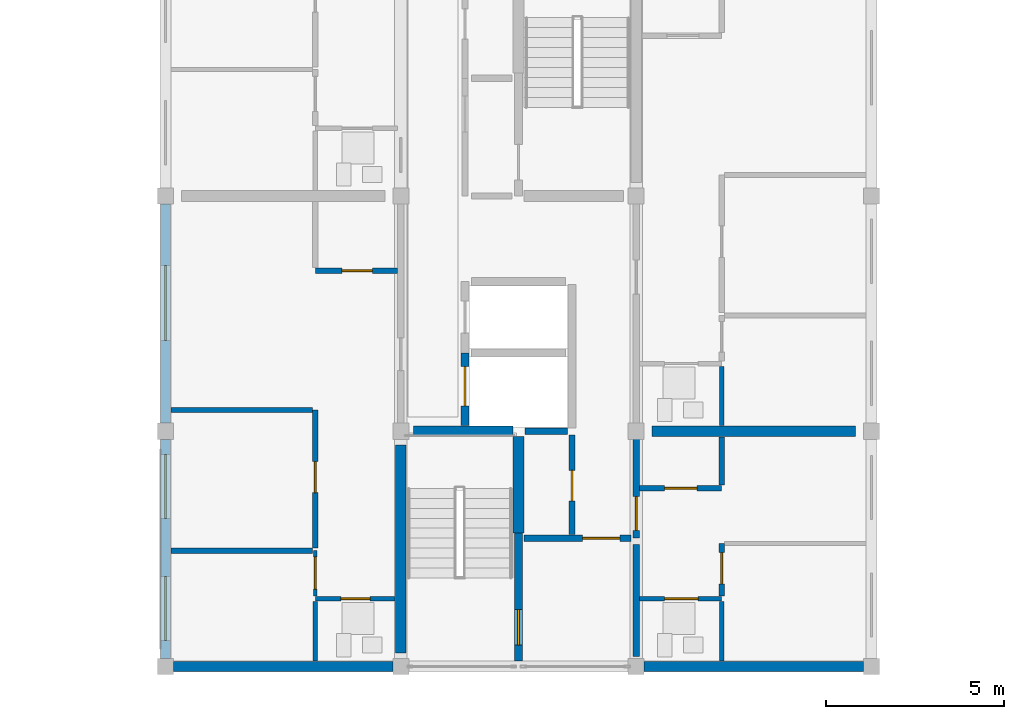
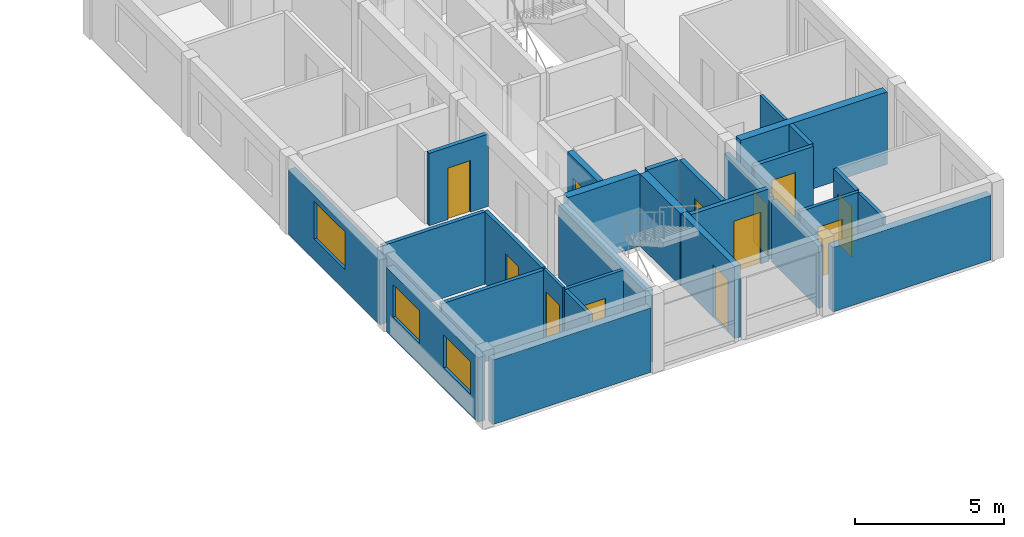
# One storey, part 28 of 46: 28 walls, 12 doors, 3 windows, 15 openings.
"""IFC4 building model written with IfcOpenShell, lengths in metres."""

from ifc_helpers import new_model, si_unit, direction, frame, frame_2d, origin, place, context, subcontext, project, spatial, rectangle, extrude, material, layer, layer_set, type_object, element, fill, save


model = new_model("IFC4")

# Units and contexts
model_context = context("Model", 3, precision=1e-05, world=origin(), true_north=direction((0.0, 1.0)))
body_context = subcontext(model_context, "Body", "Model", "MODEL_VIEW")
ifc_project = project(units=[si_unit("LENGTHUNIT", "METRE"), si_unit("AREAUNIT", "SQUARE_METRE"), si_unit("VOLUMEUNIT", "CUBIC_METRE"), si_unit("PLANEANGLEUNIT", "RADIAN"), si_unit("MASSUNIT", "GRAM", prefix="KILO")], contexts=[model_context])

# Site, building, storey
site_placement = place(None, origin())
site = spatial("IfcSite", under=ifc_project, at=site_placement, CompositionType="ELEMENT")
building_placement = place(site_placement, origin())
building = spatial("IfcBuilding", under=site, at=building_placement, Name="Kernevlak Ridge Housing Community", CompositionType="ELEMENT")
storey_placement = place(building_placement, frame((0.0, 0.0, 27.60009765625)))
storey = spatial("IfcBuildingStorey", under=building, at=storey_placement, Name="L08", CompositionType="ELEMENT", Elevation=27.60009765625)

# Wall, openings, windows
ifc_material_1 = material(Name="Concrete block masonry M10", Category="masonry")
ifc_layer_1 = layer(ifc_material_1, 0.280029296875, Name="Concrete block masonry M10")
ifc_layer_set_1 = layer_set([ifc_layer_1], Name="Concrete block masonry M10")
wall_type_1 = type_object("IfcWallType", Name="EW-03", PredefinedType="STANDARD", material=ifc_layer_set_1)
wall_1_placement = place(storey_placement, frame((126.0, 15.824951171875, 0.0), z_axis=(0.0, 0.0, 1.0), x_axis=(0.0, 1.0, 0.0)))
wall_1 = element("IfcWall", 1, at=wall_1_placement, inside=storey, type_object=wall_type_1, Name="Exterior wall EW-03 L08 642", PredefinedType="STANDARD", context=body_context, shape_type="SweptSolid", body=[
    extrude(rectangle(XDim=6.150146484375, YDim=0.280029296875, at=frame_2d((3.0751953125, 0.0))), origin(), (0.0, 0.0, 1.0), 2.64990234375),
])
opening_1_placement = place(wall_1_placement, frame((0.5, 0.0, 0.85009765625)))
opening_1 = element("IfcOpeningElement", 2, at=opening_1_placement, cuts=wall_1, Name="Opening WT-03", PredefinedType="OPENING", context=body_context, shape_type="SweptSolid", body=[
    extrude(rectangle(XDim=1.800048828125, YDim=1.35009765625, at=frame_2d((0.89990234375, 0.675048828125))), frame((0.0, 0.14990234375, 0.0), z_axis=(0.0, -1.0, 0.0), x_axis=(1.0, 0.0, 0.0)), (0.0, 0.0, 1.0), 0.300048828125),
])
opening_2_placement = place(wall_1_placement, frame((3.925048828125, 0.0, 0.85009765625)))
opening_2 = element("IfcOpeningElement", 3, at=opening_2_placement, cuts=wall_1, Name="Opening WT-03", PredefinedType="OPENING", context=body_context, shape_type="SweptSolid", body=[
    extrude(rectangle(XDim=1.800048828125, YDim=1.35009765625, at=frame_2d((0.89990234375, 0.675048828125))), frame((0.0, 0.14990234375, 0.0), z_axis=(0.0, -1.0, 0.0), x_axis=(1.0, 0.0, 0.0)), (0.0, 0.0, 1.0), 0.300048828125),
])
ifc_material_2 = material(Name="Aluminium EN AW-6060 anodised and laminated glass", Category="aluminium")
window_type_1 = type_object("IfcWindowType", Name="WT-03", PartitioningType="SINGLE_PANEL", PredefinedType="WINDOW", material=ifc_material_2)
window_1_placement = place(opening_1_placement, origin())
window_1 = element("IfcWindow", 4, at=window_1_placement, inside=storey, type_object=window_type_1, Name="Window WT-03 L08 520", OverallHeight=1.35009765625, OverallWidth=1.800048828125, PartitioningType="SINGLE_PANEL", PredefinedType="WINDOW", context=body_context, shape_type="SweptSolid", body=[
    extrude(rectangle(XDim=1.800048828125, YDim=1.35009765625, at=frame_2d((0.89990234375, 0.675048828125))), frame((0.0, 0.030029296875, 0.0), z_axis=(0.0, -1.0, 0.0), x_axis=(1.0, 0.0, 0.0)), (0.0, 0.0, 1.0), 0.06005859375),
])
fill(opening_1, window_1)
window_2_placement = place(opening_2_placement, origin())
window_2 = element("IfcWindow", 5, at=window_2_placement, inside=storey, type_object=window_type_1, Name="Window WT-03 L08 521", OverallHeight=1.35009765625, OverallWidth=1.800048828125, PartitioningType="SINGLE_PANEL", PredefinedType="WINDOW", context=body_context, shape_type="SweptSolid", body=[
    extrude(rectangle(XDim=1.800048828125, YDim=1.35009765625, at=frame_2d((0.89990234375, 0.675048828125))), frame((0.0, 0.030029296875, 0.0), z_axis=(0.0, -1.0, 0.0), x_axis=(1.0, 0.0, 0.0)), (0.0, 0.0, 1.0), 0.06005859375),
])
fill(opening_2, window_2)

# Wall, opening, window
wall_2_placement = place(storey_placement, frame((126.0, 22.425048828125, 0.0), z_axis=(0.0, 0.0, 1.0), x_axis=(0.0, 1.0, 0.0)))
wall_2 = element("IfcWall", 6, at=wall_2_placement, inside=storey, type_object=wall_type_1, Name="Exterior wall EW-03 L08 643", PredefinedType="STANDARD", context=body_context, shape_type="SweptSolid", body=[
    extrude(rectangle(XDim=6.14990234375, YDim=0.280029296875, at=frame_2d((3.074951171875, 0.0))), origin(), (0.0, 0.0, 1.0), 2.64990234375),
])
opening_3_placement = place(wall_2_placement, frame((2.321044921875, 0.0, 0.85009765625)))
opening_3 = element("IfcOpeningElement", 7, at=opening_3_placement, cuts=wall_2, Name="Opening WT-05", PredefinedType="OPENING", context=body_context, shape_type="SweptSolid", body=[
    extrude(rectangle(XDim=2.10009765625, YDim=1.550048828125, at=frame_2d((1.050048828125, 0.77490234375))), frame((0.0, 0.14990234375, 0.0), z_axis=(0.0, -1.0, 0.0), x_axis=(1.0, 0.0, 0.0)), (0.0, 0.0, 1.0), 0.300048828125),
])
window_type_2 = type_object("IfcWindowType", Name="WT-05", PartitioningType="SINGLE_PANEL", PredefinedType="WINDOW", material=ifc_material_2)
window_3_placement = place(opening_3_placement, origin())
window_3 = element("IfcWindow", 8, at=window_3_placement, inside=storey, type_object=window_type_2, Name="Window WT-05 L08 522", OverallHeight=1.550048828125, OverallWidth=2.10009765625, PartitioningType="SINGLE_PANEL", PredefinedType="WINDOW", context=body_context, shape_type="SweptSolid", body=[
    extrude(rectangle(XDim=2.10009765625, YDim=1.550048828125, at=frame_2d((1.050048828125, 0.77490234375))), frame((0.0, 0.030029296875, 0.0), z_axis=(0.0, -1.0, 0.0), x_axis=(1.0, 0.0, 0.0)), (0.0, 0.0, 1.0), 0.06005859375),
])
fill(opening_3, window_3)

# Walls
for number, where, z_axis, x_axis, name in (
    (9, (126.22509765625, 15.60009765625, 0.0), (0.0, 0.0, 1.0), (1.0, 0.0, 0.0), "Exterior wall EW-03 L08 652"),
    (10, (139.425048828125, 15.60009765625, 0.0), (0.0, 0.0, 1.0), (1.0, 0.0, 0.0), "Exterior wall EW-03 L08 653"),
):
    element("IfcWall", number, at=place(storey_placement, frame(where, z_axis=z_axis, x_axis=x_axis)), inside=storey, type_object=wall_type_1, Name=name, PredefinedType="STANDARD", context=body_context, shape_type="SweptSolid", body=[
        extrude(rectangle(XDim=6.14990234375, YDim=0.280029296875, at=frame_2d((3.074951171875, 0.0))), origin(), (0.0, 0.0, 1.0), 2.64990234375),
    ])

# Wall, opening, door
ifc_material_3 = material(Name="Concrete C35/45", Category="concrete")
ifc_layer_2 = layer(ifc_material_3, 0.22509765625, Name="Concrete C35/45")
ifc_layer_set_2 = layer_set([ifc_layer_2], Name="Concrete C35/45")
wall_type_2 = type_object("IfcWallType", Name="PW-01", PredefinedType="STANDARD", material=ifc_layer_set_2)
wall_3_placement = place(storey_placement, frame((135.89990234375, 15.75, 0.0), z_axis=(0.0, 0.0, 1.0), x_axis=(0.0, 1.0, 0.0)))
wall_3 = element("IfcWall", 11, at=wall_3_placement, inside=storey, type_object=wall_type_2, Name="Interior wall PW-01 WAL-INT-L08-2607", PredefinedType="STANDARD", context=body_context, shape_type="SweptSolid", body=[
    extrude(rectangle(XDim=3.60009765625, YDim=0.22509765625, at=frame_2d((1.800048828125, 0.0))), origin(), (0.0, 0.0, 1.0), 2.969970703125),
])
opening_4_placement = place(wall_3_placement, frame((0.449951171875, 0.0, 0.0)))
opening_4 = element("IfcOpeningElement", 12, at=opening_4_placement, cuts=wall_3, Name="Opening E323", PredefinedType="OPENING", context=body_context, shape_type="SweptSolid", body=[
    extrude(rectangle(XDim=1.0, YDim=2.159912109375, at=frame_2d((0.5, 1.080078125))), frame((0.0, 0.12255859375, 0.0), z_axis=(0.0, -1.0, 0.0), x_axis=(1.0, 0.0, 0.0)), (0.0, 0.0, 1.0), 0.2451171875),
])
ifc_material_4 = material(Name="Fire-rated sheet steel leaf", Category="steel")
door_type_1 = type_object("IfcDoorType", Name="DT-15", OperationType="NOTDEFINED", PredefinedType="DOOR", material=ifc_material_4)
door_1_placement = place(opening_4_placement, origin())
door_1 = element("IfcDoor", 13, at=door_1_placement, inside=storey, type_object=door_type_1, Name="Block C Stair 1 fire door E323", OperationType="SINGLE_SWING_RIGHT", OverallHeight=2.159912109375, OverallWidth=1.0, PredefinedType="DOOR", context=body_context, shape_type="SweptSolid", body=[
    extrude(rectangle(XDim=1.0, YDim=2.159912109375, at=frame_2d((0.5, 1.080078125))), frame((0.0, 0.02490234375, 0.0), z_axis=(0.0, -1.0, 0.0), x_axis=(1.0, 0.0, 0.0)), (0.0, 0.0, 1.0), 0.050048828125),
])
fill(opening_4, door_1)

wall_4_placement = place(storey_placement, frame((134.39990234375, 22.360107421875, 0.0), z_axis=(0.0, 0.0, 1.0), x_axis=(0.0, 1.0, 0.0)))
wall_4 = element("IfcWall", 14, at=wall_4_placement, inside=storey, type_object=wall_type_2, Name="Interior wall PW-01 WAL-INT-L08-2611", PredefinedType="STANDARD", context=body_context, shape_type="SweptSolid", body=[
    extrude(rectangle(XDim=2.039794921875, YDim=0.22509765625, at=frame_2d((1.02001953125, 0.0))), origin(), (0.0, 0.0, 1.0), 2.969970703125),
])
opening_5_placement = place(wall_4_placement, frame((0.550048828125, 0.0, 0.0)))
opening_5 = element("IfcOpeningElement", 15, at=opening_5_placement, cuts=wall_4, Name="Opening LD71", PredefinedType="OPENING", context=body_context, shape_type="SweptSolid", body=[
    extrude(rectangle(XDim=1.10009765625, YDim=2.10009765625, at=frame_2d((0.550048828125, 1.050048828125))), frame((0.0, 0.12255859375, 0.0), z_axis=(0.0, -1.0, 0.0), x_axis=(1.0, 0.0, 0.0)), (0.0, 0.0, 1.0), 0.2451171875),
])
ifc_material_5 = material(Name="Stainless steel EN 1.4401", Category="steel")
door_type_2 = type_object("IfcDoorType", Name="DT-LD1", OperationType="DOUBLE_DOOR_SLIDING", PredefinedType="DOOR", material=ifc_material_5)
door_2_placement = place(opening_5_placement, origin())
door_2 = element("IfcDoor", 16, at=door_2_placement, inside=storey, type_object=door_type_2, Name="Lift LF-C1 landing door LD71", OperationType="DOUBLE_DOOR_SLIDING", OverallHeight=2.10009765625, OverallWidth=1.10009765625, PredefinedType="DOOR", context=body_context, shape_type="SweptSolid", body=[
    extrude(rectangle(XDim=1.10009765625, YDim=2.10009765625, at=frame_2d((0.550048828125, 1.050048828125))), frame((0.0, 0.02490234375, 0.0), z_axis=(0.0, -1.0, 0.0), x_axis=(1.0, 0.0, 0.0)), (0.0, 0.0, 1.0), 0.050048828125),
])
fill(opening_5, door_2)

ifc_layer_3 = layer(ifc_material_1, 0.175048828125, Name="Concrete block masonry M10")
ifc_layer_set_3 = layer_set([ifc_layer_3], Name="Concrete block masonry M10")
wall_type_3 = type_object("IfcWallType", Name="PW-02", PredefinedType="PARTITIONING", material=ifc_layer_set_3)
wall_5_placement = place(storey_placement, frame((136.050048828125, 19.199951171875, 0.0), z_axis=(0.0, 0.0, 1.0), x_axis=(1.0, 0.0, 0.0)))
wall_5 = element("IfcWall", 17, at=wall_5_placement, inside=storey, type_object=wall_type_3, Name="Interior wall PW-02 WAL-INT-L08-2608", PredefinedType="PARTITIONING", context=body_context, shape_type="SweptSolid", body=[
    extrude(rectangle(XDim=3.0, YDim=0.175048828125, at=frame_2d((1.5, 0.0))), origin(), (0.0, 0.0, 1.0), 2.969970703125),
])
opening_6_placement = place(wall_5_placement, frame((1.64990234375, 0.0, 0.0)))
opening_6 = element("IfcOpeningElement", 18, at=opening_6_placement, cuts=wall_5, Name="Opening E324", PredefinedType="OPENING", context=body_context, shape_type="SweptSolid", body=[
    extrude(rectangle(XDim=1.0400390625, YDim=2.1201171875, at=frame_2d((0.52001953125, 1.06005859375))), frame((0.0, 0.097412109375, 0.0), z_axis=(0.0, -1.0, 0.0), x_axis=(1.0, 0.0, 0.0)), (0.0, 0.0, 1.0), 0.195068359375),
])
door_type_3 = type_object("IfcDoorType", Name="DT-16", OperationType="NOTDEFINED", PredefinedType="DOOR", material=ifc_material_4)
door_3_placement = place(opening_6_placement, origin())
door_3 = element("IfcDoor", 19, at=door_3_placement, inside=storey, type_object=door_type_3, Name="Block C Firefighting lobby 1 door E324", OperationType="SINGLE_SWING_LEFT", OverallHeight=2.1201171875, OverallWidth=1.0400390625, PredefinedType="DOOR", context=body_context, shape_type="SweptSolid", body=[
    extrude(rectangle(XDim=1.0400390625, YDim=2.1201171875, at=frame_2d((0.52001953125, 1.06005859375))), frame((0.0, 0.02490234375, 0.0), z_axis=(0.0, -1.0, 0.0), x_axis=(1.0, 0.0, 0.0)), (0.0, 0.0, 1.0), 0.050048828125),
])
fill(opening_6, door_3)

wall_6_placement = place(storey_placement, frame((137.39990234375, 19.300048828125, 0.0), z_axis=(0.0, 0.0, 1.0), x_axis=(0.0, 1.0, 0.0)))
wall_6 = element("IfcWall", 20, at=wall_6_placement, inside=storey, type_object=wall_type_3, Name="Interior wall PW-02 WAL-INT-L08-2609", PredefinedType="PARTITIONING", context=body_context, shape_type="SweptSolid", body=[
    extrude(rectangle(XDim=2.800048828125, YDim=0.175048828125, at=frame_2d((1.39990234375, 0.0))), origin(), (0.0, 0.0, 1.0), 2.969970703125),
])
opening_7_placement = place(wall_6_placement, frame((0.949951171875, 0.0, 0.0)))
opening_7 = element("IfcOpeningElement", 21, at=opening_7_placement, cuts=wall_6, Name="Opening E325", PredefinedType="OPENING", context=body_context, shape_type="SweptSolid", body=[
    extrude(rectangle(XDim=0.85009765625, YDim=2.0, at=frame_2d((0.425048828125, 1.0))), frame((0.0, 0.097412109375, 0.0), z_axis=(0.0, -1.0, 0.0), x_axis=(1.0, 0.0, 0.0)), (0.0, 0.0, 1.0), 0.195068359375),
])
door_type_4 = type_object("IfcDoorType", Name="DT-07", OperationType="NOTDEFINED", PredefinedType="DOOR", material=ifc_material_4)
door_4_placement = place(opening_7_placement, origin())
door_4 = element("IfcDoor", 22, at=door_4_placement, inside=storey, type_object=door_type_4, Name="Block C Riser shaft door E325", OperationType="SINGLE_SWING_RIGHT", OverallHeight=2.0, OverallWidth=0.85009765625, PredefinedType="DOOR", context=body_context, shape_type="SweptSolid", body=[
    extrude(rectangle(XDim=0.85009765625, YDim=2.0, at=frame_2d((0.425048828125, 1.0))), frame((0.0, 0.02490234375, 0.0), z_axis=(0.0, -1.0, 0.0), x_axis=(1.0, 0.0, 0.0)), (0.0, 0.0, 1.0), 0.050048828125),
])
fill(opening_7, door_4)

# Walls
wall_7_placement = place(storey_placement, frame((136.080078125, 22.199951171875, 0.0), z_axis=(0.0, 0.0, 1.0), x_axis=(1.0, 0.0, 0.0)))
element("IfcWall", 23, at=wall_7_placement, inside=storey, type_object=wall_type_3, Name="Interior wall PW-02 WAL-INT-L08-2610", PredefinedType="PARTITIONING", context=body_context, shape_type="SweptSolid", body=[
    extrude(rectangle(XDim=1.18994140625, YDim=0.175048828125, at=frame_2d((0.594970703125, 0.0))), origin(), (0.0, 0.0, 1.0), 2.969970703125),
])
wall_8_placement = place(storey_placement, frame((139.199951171875, 15.8798828125, 0.0), z_axis=(0.0, 0.0, 1.0), x_axis=(0.0, 1.0, 0.0)))
element("IfcWall", 24, at=wall_8_placement, inside=storey, type_object=wall_type_3, Name="Interior wall PW-02 WAL-INT-L08-2644", PredefinedType="PARTITIONING", context=body_context, shape_type="SweptSolid", body=[
    extrude(rectangle(XDim=3.14013671875, YDim=0.175048828125, at=frame_2d((1.570068359375, 0.0))), origin(), (0.0, 0.0, 1.0), 2.5498046875),
])

# Wall, opening, door
wall_9_placement = place(storey_placement, frame((139.199951171875, 19.199951171875, 0.0), z_axis=(0.0, 0.0, 1.0), x_axis=(0.0, 1.0, 0.0)))
wall_9 = element("IfcWall", 25, at=wall_9_placement, inside=storey, type_object=wall_type_3, Name="Interior wall PW-02 WAL-INT-L08-2645", PredefinedType="PARTITIONING", context=body_context, shape_type="SweptSolid", body=[
    extrude(rectangle(XDim=3.0, YDim=0.175048828125, at=frame_2d((1.5, 0.0))), origin(), (0.0, 0.0, 1.0), 2.5498046875),
])
opening_8_placement = place(wall_9_placement, frame((0.219970703125, 0.0, 0.0)))
opening_8 = element("IfcOpeningElement", 26, at=opening_8_placement, cuts=wall_9, Name="Opening E340", PredefinedType="OPENING", context=body_context, shape_type="SweptSolid", body=[
    extrude(rectangle(XDim=0.949951171875, YDim=2.10009765625, at=frame_2d((0.47509765625, 1.050048828125))), frame((0.0, 0.097412109375, 0.0), z_axis=(0.0, -1.0, 0.0), x_axis=(1.0, 0.0, 0.0)), (0.0, 0.0, 1.0), 0.195068359375),
])
ifc_material_6 = material(Name="Hardwood timber solid-core fire leaf", Category="wood")
door_type_5 = type_object("IfcDoorType", Name="DT-01", OperationType="NOTDEFINED", PredefinedType="DOOR", material=ifc_material_6)
door_5_placement = place(opening_8_placement, origin())
door_5 = element("IfcDoor", 27, at=door_5_placement, inside=storey, type_object=door_type_5, Name="Flat C0821 entrance fire door E340", OperationType="SINGLE_SWING_LEFT", OverallHeight=2.10009765625, OverallWidth=0.949951171875, PredefinedType="DOOR", context=body_context, shape_type="SweptSolid", body=[
    extrude(rectangle(XDim=0.949951171875, YDim=2.10009765625, at=frame_2d((0.47509765625, 1.050048828125))), frame((0.0, 0.02490234375, 0.0), z_axis=(0.0, -1.0, 0.0), x_axis=(1.0, 0.0, 0.0)), (0.0, 0.0, 1.0), 0.050048828125),
])
fill(opening_8, door_5)

# Wall
ifc_layer_4 = layer(ifc_material_1, 0.14501953125, Name="Concrete block masonry M10")
ifc_layer_set_4 = layer_set([ifc_layer_4], Name="Concrete block masonry M10")
wall_type_4 = type_object("IfcWallType", Name="PW-03", PredefinedType="PARTITIONING", material=ifc_layer_set_4)
wall_10_placement = place(storey_placement, frame((130.1201171875, 18.85009765625, 0.0), z_axis=(0.0, 0.0, 1.0), x_axis=(-1.0, 0.0, 0.0)))
element("IfcWall", 28, at=wall_10_placement, inside=storey, type_object=wall_type_4, Name="Interior wall PW-03 WAL-INT-L08-2632", PredefinedType="PARTITIONING", context=body_context, shape_type="SweptSolid", body=[
    extrude(rectangle(XDim=3.97021484375, YDim=0.14501953125, at=frame_2d((1.985107421875, 0.0))), origin(), (0.0, 0.0, 1.0), 2.969970703125),
])

# Wall, opening, door
wall_11_placement = place(storey_placement, frame((130.199951171875, 18.9326171875, 0.0), z_axis=(0.0, 0.0, 1.0), x_axis=(0.0, 1.0, 0.0)))
wall_11 = element("IfcWall", 29, at=wall_11_placement, inside=storey, type_object=wall_type_4, Name="Interior wall PW-03 WAL-INT-L08-2633", PredefinedType="PARTITIONING", context=body_context, shape_type="SweptSolid", body=[
    extrude(rectangle(XDim=3.859375, YDim=0.14501953125, at=frame_2d((1.9296875, 0.0))), origin(), (0.0, 0.0, 1.0), 2.969970703125),
])
opening_9_placement = place(wall_11_placement, frame((1.5458984375, 0.0, 0.0)))
opening_9 = element("IfcOpeningElement", 30, at=opening_9_placement, cuts=wall_11, Name="Opening E334", PredefinedType="OPENING", context=body_context, shape_type="SweptSolid", body=[
    extrude(rectangle(XDim=0.8701171875, YDim=2.080078125, at=frame_2d((0.43505859375, 1.0400390625))), frame((0.0, 0.08251953125, 0.0), z_axis=(0.0, -1.0, 0.0), x_axis=(1.0, 0.0, 0.0)), (0.0, 0.0, 1.0), 0.1650390625),
])
ifc_material_7 = material(Name="Hardwood timber leaf", Category="wood")
door_type_6 = type_object("IfcDoorType", Name="DT-32", OperationType="NOTDEFINED", PredefinedType="DOOR", material=ifc_material_7)
door_6_placement = place(opening_9_placement, origin())
door_6 = element("IfcDoor", 31, at=door_6_placement, inside=storey, type_object=door_type_6, Name="Flat C0811 bedroom door E334", OperationType="SINGLE_SWING_LEFT", OverallHeight=2.080078125, OverallWidth=0.8701171875, PredefinedType="DOOR", context=body_context, shape_type="SweptSolid", body=[
    extrude(rectangle(XDim=0.8701171875, YDim=2.080078125, at=frame_2d((0.43505859375, 1.0400390625))), frame((0.0, 0.02490234375, 0.0), z_axis=(0.0, -1.0, 0.0), x_axis=(1.0, 0.0, 0.0)), (0.0, 0.0, 1.0), 0.050048828125),
])
fill(opening_9, door_6)

# Wall
wall_12_placement = place(storey_placement, frame((130.117431640625, 22.7919921875, 0.0), z_axis=(0.0, 0.0, 1.0), x_axis=(-1.0, 0.0, 0.0)))
element("IfcWall", 32, at=wall_12_placement, inside=storey, type_object=wall_type_4, Name="Interior wall PW-03 WAL-INT-L08-2634", PredefinedType="PARTITIONING", context=body_context, shape_type="SweptSolid", body=[
    extrude(rectangle(XDim=3.967529296875, YDim=0.14501953125, at=frame_2d((1.98388671875, 0.0))), origin(), (0.0, 0.0, 1.0), 2.969970703125),
])

# Wall, opening, door
wall_13_placement = place(storey_placement, frame((141.60009765625, 17.572509765625, 0.0), z_axis=(0.0, 0.0, 1.0), x_axis=(0.0, 1.0, 0.0)))
wall_13 = element("IfcWall", 33, at=wall_13_placement, inside=storey, type_object=wall_type_4, Name="Interior wall PW-03 WAL-INT-L08-2650", PredefinedType="PARTITIONING", context=body_context, shape_type="SweptSolid", body=[
    extrude(rectangle(XDim=1.4775390625, YDim=0.14501953125, at=frame_2d((0.73876953125, 0.0))), origin(), (0.0, 0.0, 1.0), 2.969970703125),
])
opening_10_placement = place(wall_13_placement, frame((0.35009765625, 0.0, 0.0)))
opening_10 = element("IfcOpeningElement", 34, at=opening_10_placement, cuts=wall_13, Name="Opening E343", PredefinedType="OPENING", context=body_context, shape_type="SweptSolid", body=[
    extrude(rectangle(XDim=0.8701171875, YDim=2.080078125, at=frame_2d((0.43505859375, 1.0400390625))), frame((0.0, 0.08251953125, 0.0), z_axis=(0.0, -1.0, 0.0), x_axis=(1.0, 0.0, 0.0)), (0.0, 0.0, 1.0), 0.1650390625),
])
door_7_placement = place(opening_10_placement, origin())
door_7 = element("IfcDoor", 35, at=door_7_placement, inside=storey, type_object=door_type_6, Name="Flat C0821 bedroom door E343", OperationType="SINGLE_SWING_RIGHT", OverallHeight=2.080078125, OverallWidth=0.8701171875, PredefinedType="DOOR", context=body_context, shape_type="SweptSolid", body=[
    extrude(rectangle(XDim=0.8701171875, YDim=2.080078125, at=frame_2d((0.43505859375, 1.0400390625))), frame((0.0, 0.02490234375, 0.0), z_axis=(0.0, -1.0, 0.0), x_axis=(1.0, 0.0, 0.0)), (0.0, 0.0, 1.0), 0.050048828125),
])
fill(opening_10, door_7)

ifc_material_8 = material(Name="Gypsum plasterboard EN 520", Category="gypsum")
ifc_layer_5 = layer(ifc_material_8, 0.125, Name="Gypsum plasterboard EN 520")
ifc_layer_set_5 = layer_set([ifc_layer_5], Name="Gypsum plasterboard EN 520")
wall_type_5 = type_object("IfcWallType", Name="PW-04", PredefinedType="PARTITIONING", material=ifc_layer_set_5)
wall_14_placement = place(storey_placement, frame((132.43994140625, 17.5, 0.0), z_axis=(0.0, 0.0, 1.0), x_axis=(-1.0, 0.0, 0.0)))
wall_14 = element("IfcWall", 36, at=wall_14_placement, inside=storey, type_object=wall_type_5, Name="Interior wall PW-04 WAL-INT-L08-2627", PredefinedType="PARTITIONING", context=body_context, shape_type="SweptSolid", body=[
    extrude(rectangle(XDim=2.239990234375, YDim=0.125, at=frame_2d((1.1201171875, 0.0))), origin(), (0.0, 0.0, 1.0), 2.969970703125),
])
opening_11_placement = place(wall_14_placement, frame((0.699951171875, 0.0, 0.0)))
opening_11 = element("IfcOpeningElement", 37, at=opening_11_placement, cuts=wall_14, Name="Opening E331", PredefinedType="OPENING", context=body_context, shape_type="SweptSolid", body=[
    extrude(rectangle(XDim=0.820068359375, YDim=2.050048828125, at=frame_2d((0.41015625, 1.02490234375))), frame((0.0, 0.072509765625, 0.0), z_axis=(0.0, -1.0, 0.0), x_axis=(1.0, 0.0, 0.0)), (0.0, 0.0, 1.0), 0.14501953125),
])
ifc_material_9 = material(Name="Hardwood timber moisture-resistant leaf", Category="wood")
door_type_7 = type_object("IfcDoorType", Name="DT-30", OperationType="NOTDEFINED", PredefinedType="DOOR", material=ifc_material_9)
door_8_placement = place(opening_11_placement, origin())
door_8 = element("IfcDoor", 38, at=door_8_placement, inside=storey, type_object=door_type_7, Name="Flat C0811 bathroom door E331", OperationType="SINGLE_SWING_RIGHT", OverallHeight=2.050048828125, OverallWidth=0.820068359375, PredefinedType="DOOR", context=body_context, shape_type="SweptSolid", body=[
    extrude(rectangle(XDim=0.820068359375, YDim=2.050048828125, at=frame_2d((0.41015625, 1.02490234375))), frame((0.0, 0.02490234375, 0.0), z_axis=(0.0, -1.0, 0.0), x_axis=(1.0, 0.0, 0.0)), (0.0, 0.0, 1.0), 0.050048828125),
])
fill(opening_11, door_8)

# Wall
wall_15_placement = place(storey_placement, frame((130.199951171875, 15.75, 0.0), z_axis=(0.0, 0.0, 1.0), x_axis=(0.0, 1.0, 0.0)))
element("IfcWall", 39, at=wall_15_placement, inside=storey, type_object=wall_type_5, Name="Interior wall PW-04 WAL-INT-L08-2628", PredefinedType="PARTITIONING", context=body_context, shape_type="SweptSolid", body=[
    extrude(rectangle(XDim=1.669921875, YDim=0.125, at=frame_2d((0.8349609375, 0.0))), origin(), (0.0, 0.0, 1.0), 2.969970703125),
])

# Wall, opening, door
wall_16_placement = place(storey_placement, frame((139.297607421875, 17.5, 0.0), z_axis=(0.0, 0.0, 1.0), x_axis=(1.0, 0.0, 0.0)))
wall_16 = element("IfcWall", 40, at=wall_16_placement, inside=storey, type_object=wall_type_5, Name="Interior wall PW-04 WAL-INT-L08-2646", PredefinedType="PARTITIONING", context=body_context, shape_type="SweptSolid", body=[
    extrude(rectangle(XDim=2.302490234375, YDim=0.125, at=frame_2d((1.1513671875, 0.0))), origin(), (0.0, 0.0, 1.0), 2.969970703125),
])
opening_12_placement = place(wall_16_placement, frame((0.699951171875, 0.0, 0.0)))
opening_12 = element("IfcOpeningElement", 41, at=opening_12_placement, cuts=wall_16, Name="Opening E341", PredefinedType="OPENING", context=body_context, shape_type="SweptSolid", body=[
    extrude(rectangle(XDim=0.93994140625, YDim=2.080078125, at=frame_2d((0.469970703125, 1.0400390625))), frame((0.0, 0.072509765625, 0.0), z_axis=(0.0, -1.0, 0.0), x_axis=(1.0, 0.0, 0.0)), (0.0, 0.0, 1.0), 0.14501953125),
])
door_type_8 = type_object("IfcDoorType", Name="DT-23", OperationType="NOTDEFINED", PredefinedType="DOOR", material=ifc_material_9)
door_9_placement = place(opening_12_placement, origin())
door_9 = element("IfcDoor", 42, at=door_9_placement, inside=storey, type_object=door_type_8, Name="Flat C0821 bathroom door E341", OperationType="SINGLE_SWING_RIGHT", OverallHeight=2.080078125, OverallWidth=0.93994140625, PredefinedType="DOOR", context=body_context, shape_type="SweptSolid", body=[
    extrude(rectangle(XDim=0.93994140625, YDim=2.080078125, at=frame_2d((0.469970703125, 1.0400390625))), frame((0.0, 0.02490234375, 0.0), z_axis=(0.0, -1.0, 0.0), x_axis=(1.0, 0.0, 0.0)), (0.0, 0.0, 1.0), 0.050048828125),
])
fill(opening_12, door_9)

# Walls
wall_17_placement = place(storey_placement, frame((141.60009765625, 15.75, 0.0), z_axis=(0.0, 0.0, 1.0), x_axis=(0.0, 1.0, 0.0)))
element("IfcWall", 43, at=wall_17_placement, inside=storey, type_object=wall_type_5, Name="Interior wall PW-04 WAL-INT-L08-2647", PredefinedType="PARTITIONING", context=body_context, shape_type="SweptSolid", body=[
    extrude(rectangle(XDim=1.669921875, YDim=0.125, at=frame_2d((0.8349609375, 0.0))), origin(), (0.0, 0.0, 1.0), 2.969970703125),
])
wall_18_placement = place(storey_placement, frame((141.60009765625, 22.360107421875, 0.0), z_axis=(0.0, 0.0, 1.0), x_axis=(0.0, 1.0, 0.0)))
element("IfcWall", 44, at=wall_18_placement, inside=storey, type_object=wall_type_5, Name="Interior wall PW-04 WAL-INT-L08-2654", PredefinedType="PARTITIONING", context=body_context, shape_type="SweptSolid", body=[
    extrude(rectangle(XDim=1.659912109375, YDim=0.125, at=frame_2d((0.830078125, 0.0))), origin(), (0.0, 0.0, 1.0), 2.969970703125),
])

# Wall, opening, door
ifc_layer_6 = layer(ifc_material_8, 0.155029296875, Name="Gypsum plasterboard EN 520")
ifc_layer_set_6 = layer_set([ifc_layer_6], Name="Gypsum plasterboard EN 520")
wall_type_6 = type_object("IfcWallType", Name="PW-05", PredefinedType="PARTITIONING", material=ifc_layer_set_6)
wall_19_placement = place(storey_placement, frame((132.50244140625, 26.699951171875, 0.0), z_axis=(0.0, 0.0, 1.0), x_axis=(-1.0, 0.0, 0.0)))
wall_19 = element("IfcWall", 45, at=wall_19_placement, inside=storey, type_object=wall_type_6, Name="Interior wall PW-05 WAL-INT-L08-2629", PredefinedType="PARTITIONING", context=body_context, shape_type="SweptSolid", body=[
    extrude(rectangle(XDim=2.302490234375, YDim=0.155029296875, at=frame_2d((1.1513671875, 0.0))), origin(), (0.0, 0.0, 1.0), 2.969970703125),
])
opening_13_placement = place(wall_19_placement, frame((0.699951171875, 0.0, 0.0)))
opening_13 = element("IfcOpeningElement", 46, at=opening_13_placement, cuts=wall_19, Name="Opening E332", PredefinedType="OPENING", context=body_context, shape_type="SweptSolid", body=[
    extrude(rectangle(XDim=0.860107421875, YDim=2.1201171875, at=frame_2d((0.43017578125, 1.06005859375))), frame((0.0, 0.08740234375, 0.0), z_axis=(0.0, -1.0, 0.0), x_axis=(1.0, 0.0, 0.0)), (0.0, 0.0, 1.0), 0.175048828125),
])
door_type_9 = type_object("IfcDoorType", Name="DT-28", OperationType="NOTDEFINED", PredefinedType="DOOR", material=ifc_material_7)
door_10_placement = place(opening_13_placement, origin())
door_10 = element("IfcDoor", 47, at=door_10_placement, inside=storey, type_object=door_type_9, Name="Flat C0811 kitchen door E332", OperationType="SINGLE_SWING_LEFT", OverallHeight=2.1201171875, OverallWidth=0.860107421875, PredefinedType="DOOR", context=body_context, shape_type="SweptSolid", body=[
    extrude(rectangle(XDim=0.860107421875, YDim=2.1201171875, at=frame_2d((0.43017578125, 1.06005859375))), frame((0.0, 0.02490234375, 0.0), z_axis=(0.0, -1.0, 0.0), x_axis=(1.0, 0.0, 0.0)), (0.0, 0.0, 1.0), 0.050048828125),
])
fill(opening_13, door_10)

wall_20_placement = place(storey_placement, frame((139.297607421875, 20.60009765625, 0.0), z_axis=(0.0, 0.0, 1.0), x_axis=(1.0, 0.0, 0.0)))
wall_20 = element("IfcWall", 48, at=wall_20_placement, inside=storey, type_object=wall_type_6, Name="Interior wall PW-05 WAL-INT-L08-2648", PredefinedType="PARTITIONING", context=body_context, shape_type="SweptSolid", body=[
    extrude(rectangle(XDim=2.302490234375, YDim=0.155029296875, at=frame_2d((1.1513671875, 0.0))), origin(), (0.0, 0.0, 1.0), 2.969970703125),
])
opening_14_placement = place(wall_20_placement, frame((0.699951171875, 0.0, 0.0)))
opening_14 = element("IfcOpeningElement", 49, at=opening_14_placement, cuts=wall_20, Name="Opening E342", PredefinedType="OPENING", context=body_context, shape_type="SweptSolid", body=[
    extrude(rectangle(XDim=0.909912109375, YDim=2.139892578125, at=frame_2d((0.455078125, 1.06982421875))), frame((0.0, 0.08740234375, 0.0), z_axis=(0.0, -1.0, 0.0), x_axis=(1.0, 0.0, 0.0)), (0.0, 0.0, 1.0), 0.175048828125),
])
door_type_10 = type_object("IfcDoorType", Name="DT-31", OperationType="NOTDEFINED", PredefinedType="DOOR", material=ifc_material_7)
door_11_placement = place(opening_14_placement, origin())
door_11 = element("IfcDoor", 50, at=door_11_placement, inside=storey, type_object=door_type_10, Name="Flat C0821 kitchen door E342", OperationType="SINGLE_SWING_LEFT", OverallHeight=2.139892578125, OverallWidth=0.909912109375, PredefinedType="DOOR", context=body_context, shape_type="SweptSolid", body=[
    extrude(rectangle(XDim=0.909912109375, YDim=2.139892578125, at=frame_2d((0.455078125, 1.06982421875))), frame((0.0, 0.02490234375, 0.0), z_axis=(0.0, -1.0, 0.0), x_axis=(1.0, 0.0, 0.0)), (0.0, 0.0, 1.0), 0.050048828125),
])
fill(opening_14, door_11)

# Wall
wall_21_placement = place(storey_placement, frame((141.60009765625, 20.6875, 0.0), z_axis=(0.0, 0.0, 1.0), x_axis=(0.0, 1.0, 0.0)))
element("IfcWall", 51, at=wall_21_placement, inside=storey, type_object=wall_type_6, Name="Interior wall PW-05 WAL-INT-L08-2649", PredefinedType="PARTITIONING", context=body_context, shape_type="SweptSolid", body=[
    extrude(rectangle(XDim=1.3525390625, YDim=0.155029296875, at=frame_2d((0.67626953125, 0.0))), origin(), (0.0, 0.0, 1.0), 2.969970703125),
])

# Wall, opening, door
ifc_layer_7 = layer(ifc_material_8, 0.10498046875, Name="Gypsum plasterboard EN 520")
ifc_layer_set_7 = layer_set([ifc_layer_7], Name="Gypsum plasterboard EN 520")
wall_type_7 = type_object("IfcWallType", Name="PW-06", PredefinedType="PARTITIONING", material=ifc_layer_set_7)
wall_22_placement = place(storey_placement, frame((130.199951171875, 17.572509765625, 0.0), z_axis=(0.0, 0.0, 1.0), x_axis=(0.0, 1.0, 0.0)))
wall_22 = element("IfcWall", 52, at=wall_22_placement, inside=storey, type_object=wall_type_7, Name="Interior wall PW-06 WAL-INT-L08-2631", PredefinedType="PARTITIONING", context=body_context, shape_type="SweptSolid", body=[
    extrude(rectangle(XDim=1.277587890625, YDim=0.10498046875, at=frame_2d((0.638671875, 0.0))), origin(), (0.0, 0.0, 1.0), 2.969970703125),
])
opening_15_placement = place(wall_22_placement, frame((0.197509765625, 0.0, 0.0)))
opening_15 = element("IfcOpeningElement", 53, at=opening_15_placement, cuts=wall_22, Name="Opening E333", PredefinedType="OPENING", context=body_context, shape_type="SweptSolid", body=[
    extrude(rectangle(XDim=0.909912109375, YDim=2.139892578125, at=frame_2d((0.455078125, 1.06982421875))), frame((0.0, 0.0625, 0.0), z_axis=(0.0, -1.0, 0.0), x_axis=(1.0, 0.0, 0.0)), (0.0, 0.0, 1.0), 0.125),
])
door_12_placement = place(opening_15_placement, origin())
door_12 = element("IfcDoor", 54, at=door_12_placement, inside=storey, type_object=door_type_10, Name="Flat C0811 bedroom door E333", OperationType="SINGLE_SWING_RIGHT", OverallHeight=2.139892578125, OverallWidth=0.909912109375, PredefinedType="DOOR", context=body_context, shape_type="SweptSolid", body=[
    extrude(rectangle(XDim=0.909912109375, YDim=2.139892578125, at=frame_2d((0.455078125, 1.06982421875))), frame((0.0, 0.02490234375, 0.0), z_axis=(0.0, -1.0, 0.0), x_axis=(1.0, 0.0, 0.0)), (0.0, 0.0, 1.0), 0.050048828125),
])
fill(opening_15, door_12)

# Walls
ifc_material_10 = material(Name="Concrete C40/50", Category="concrete")
ifc_layer_8 = layer(ifc_material_10, 0.300048828125, Name="Concrete C40/50")
ifc_layer_set_8 = layer_set([ifc_layer_8], Name="Concrete C40/50")
wall_type_8 = type_object("IfcWallType", Name="SW-02", PredefinedType="SHEAR", material=ifc_layer_set_8)
wall_23_placement = place(storey_placement, frame((132.60009765625, 15.97998046875, 0.0), z_axis=(0.0, 0.0, 1.0), x_axis=(0.0, 1.0, 0.0)))
element("IfcWall", 55, at=wall_23_placement, inside=storey, type_object=wall_type_8, Name="Shear wall SW-02 Block C L08 451", PredefinedType="SHEAR", context=body_context, shape_type="SweptSolid", body=[
    extrude(rectangle(XDim=5.840087890625, YDim=0.300048828125, at=frame_2d((2.919921875, 0.0))), origin(), (0.0, 0.0, 1.0), 2.969970703125),
])
wall_24_placement = place(storey_placement, frame((135.89990234375, 19.35009765625, 0.0), z_axis=(0.0, 0.0, 1.0), x_axis=(0.0, 1.0, 0.0)))
element("IfcWall", 56, at=wall_24_placement, inside=storey, type_object=wall_type_8, Name="Shear wall SW-02 Block C L08 452", PredefinedType="SHEAR", context=body_context, shape_type="SweptSolid", body=[
    extrude(rectangle(XDim=2.699951171875, YDim=0.300048828125, at=frame_2d((1.35009765625, 0.0))), origin(), (0.0, 0.0, 1.0), 2.969970703125),
])
wall_25_placement = place(storey_placement, frame((132.949951171875, 22.199951171875, 0.0), z_axis=(0.0, 0.0, 1.0), x_axis=(1.0, 0.0, 0.0)))
element("IfcWall", 57, at=wall_25_placement, inside=storey, type_object=wall_type_8, Name="Shear wall SW-02 Block C L08 453", PredefinedType="SHEAR", context=body_context, shape_type="SweptSolid", body=[
    extrude(rectangle(XDim=2.800048828125, YDim=0.300048828125, at=frame_2d((1.39990234375, 0.0))), origin(), (0.0, 0.0, 1.0), 2.969970703125),
])
wall_26_placement = place(storey_placement, frame((139.64990234375, 22.199951171875, 0.0), z_axis=(0.0, 0.0, 1.0), x_axis=(1.0, 0.0, 0.0)))
element("IfcWall", 58, at=wall_26_placement, inside=storey, type_object=wall_type_8, Name="Shear wall SW-02 Block C L08 459", PredefinedType="SHEAR", context=body_context, shape_type="SweptSolid", body=[
    extrude(rectangle(XDim=5.7001953125, YDim=0.300048828125, at=frame_2d((2.85009765625, 0.0))), origin(), (0.0, 0.0, 1.0), 2.969970703125),
])

save(model, "model.ifc")
